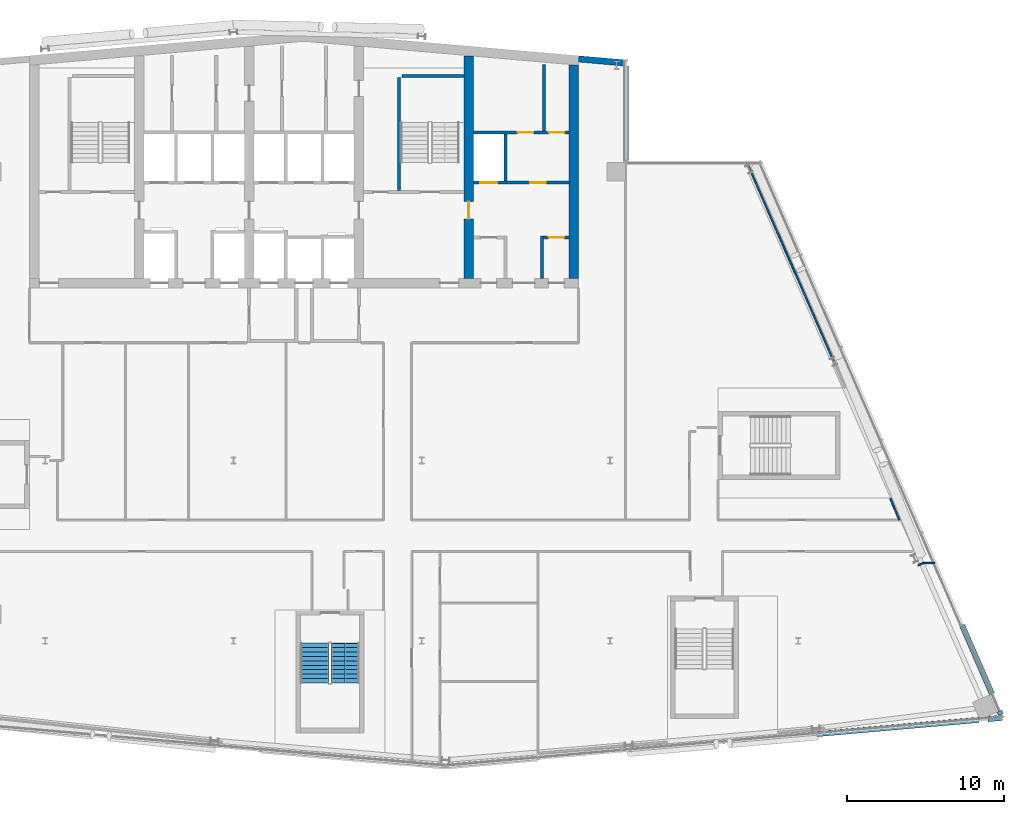
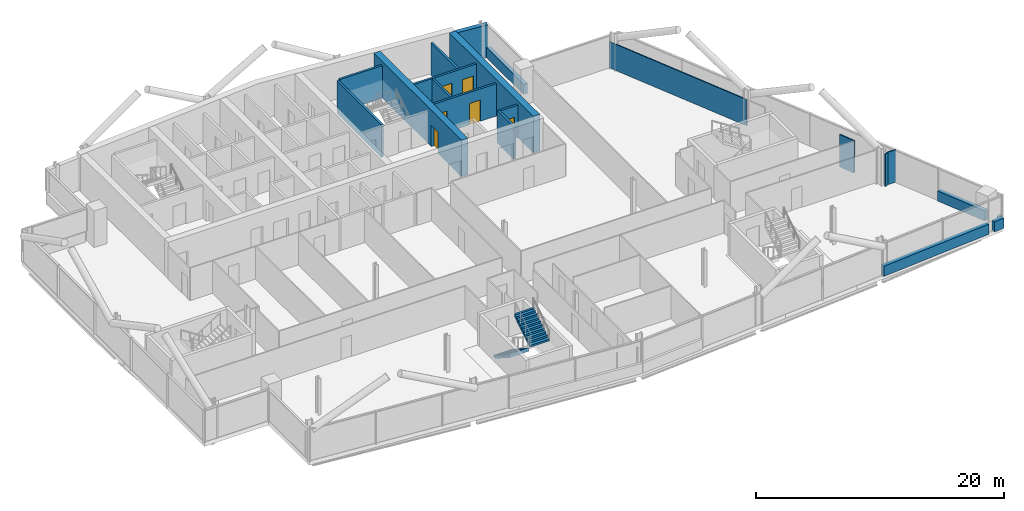
# One storey, part 19 of 26: 20 walls, 6 doors, 2 stair flights, 6 openings, 1 element without a shape of its own.
"""IFC4 building model written with IfcOpenShell, lengths in metres."""

from ifc_helpers import new_model, si_unit, direction, frame, frame_2d, origin, place, context, subcontext, project, spatial, polyline, rectangle, outline, extrude, material, layer, layer_set, type_object, element, fill, aggregate, save


model = new_model("IFC4")

# Units and contexts
model_context = context("Model", 3, precision=1e-05, world=origin(), true_north=direction((0.0, 1.0)))
body_context = subcontext(model_context, "Body", "Model", "MODEL_VIEW")
ifc_project = project(units=[si_unit("LENGTHUNIT", "METRE"), si_unit("AREAUNIT", "SQUARE_METRE"), si_unit("VOLUMEUNIT", "CUBIC_METRE"), si_unit("PLANEANGLEUNIT", "RADIAN"), si_unit("MASSUNIT", "GRAM", prefix="KILO")], contexts=[model_context])

# Site, building, storey
site_placement = place(None, origin())
site = spatial("IfcSite", under=ifc_project, at=site_placement, CompositionType="ELEMENT")
building_placement = place(site_placement, origin())
building = spatial("IfcBuilding", under=site, at=building_placement, Name="Wharfspan Tower", CompositionType="ELEMENT")
storey_placement = place(building_placement, frame((0.0, 0.0, 217.899902)))
storey = spatial("IfcBuildingStorey", under=building, at=storey_placement, Name="L54", CompositionType="ELEMENT", Elevation=217.899902)

# Wall
ifc_material_1 = material(Name="Gypsum board on steel studs", Category="steel")
ifc_layer_1 = layer(ifc_material_1, 0.100098)
ifc_layer_set_1 = layer_set([ifc_layer_1], Name="Gypsum board on steel studs")
wall_type_1 = type_object("IfcWallType", Name="Compartment wall 100 EI 60", PredefinedType="PARTITIONING", material=ifc_layer_set_1)
wall_1_placement = place(storey_placement, frame((78.439941, 19.199951, 0.0), z_axis=(0.0, 0.0, 1.0), x_axis=(-0.382605, 0.923907, 0.0)))
element("IfcWall", 1, at=wall_1_placement, inside=storey, type_object=wall_type_1, Name="Partition L54.w049", PredefinedType="PARTITIONING", context=body_context, shape_type="SweptSolid", body=[
    extrude(rectangle(XDim=1.493896, YDim=0.100098, at=frame_2d((0.74707, 0.0))), origin(), (0.0, 0.0, 1.0), 3.200195),
])

# Wall, opening, door
ifc_material_2 = material(Name="Calcium silicate masonry", Category="masonry")
ifc_layer_2 = layer(ifc_material_2, 0.199951)
ifc_layer_set_2 = layer_set([ifc_layer_2], Name="Calcium silicate masonry")
wall_type_2 = type_object("IfcWallType", Name="Core room wall 200", PredefinedType="PARTITIONING", material=ifc_layer_set_2)
wall_2_placement = place(storey_placement, frame((55.766602, 37.199951, 0.0), z_axis=(0.0, 0.0, 1.0), x_axis=(1.0, 0.0, 0.0)))
wall_2 = element("IfcWall", 2, at=wall_2_placement, inside=storey, type_object=wall_type_2, Name="sw:L54:FR6.3", PredefinedType="PARTITIONING", context=body_context, shape_type="SweptSolid", body=[
    extrude(rectangle(XDim=1.633301, YDim=0.199951, at=frame_2d((0.81665, 0.0))), origin(), (0.0, 0.0, 1.0), 3.200195),
])
opening_1_placement = place(wall_2_placement, frame((0.31665, 0.0, 0.0)))
opening_1 = element("IfcOpeningElement", 3, at=opening_1_placement, cuts=wall_2, Name="Opening CD54.6H3", PredefinedType="OPENING", context=body_context, shape_type="SweptSolid", body=[
    extrude(rectangle(XDim=1.0, YDim=2.100098, at=frame_2d((0.5, 1.050049))), frame((0.0, 0.109863, 0.0), z_axis=(0.0, -1.0, 0.0), x_axis=(1.0, 0.0, 0.0)), (0.0, 0.0, 1.0), 0.219971),
])
ifc_material_3 = material(Name="Steel door leaf", Category="steel")
door_type_1 = type_object("IfcDoorType", Name="Core room door 1000x2100", OperationType="SINGLE_SWING_LEFT", PredefinedType="DOOR", material=ifc_material_3)
door_1_placement = place(opening_1_placement, origin())
door_1 = element("IfcDoor", 4, at=door_1_placement, inside=storey, type_object=door_type_1, Name="d:L54:6:fh6.3", OperationType="SINGLE_SWING_RIGHT", OverallHeight=2.100098, OverallWidth=1.0, PredefinedType="DOOR", context=body_context, shape_type="SweptSolid", body=[
    extrude(rectangle(XDim=1.0, YDim=2.100098, at=frame_2d((0.5, 1.050049))), frame((0.0, 0.024902, 0.0), z_axis=(0.0, -1.0, 0.0), x_axis=(1.0, 0.0, 0.0)), (0.0, 0.0, 1.0), 0.050049),
])
fill(opening_1, door_1)

# Wall
wall_3_placement = place(storey_placement, frame((55.800049, 44.0, 0.0), z_axis=(0.0, 0.0, 1.0), x_axis=(0.0, 1.0, 0.0)))
element("IfcWall", 5, at=wall_3_placement, inside=storey, type_object=wall_type_2, Name="sw:L54:RP6.1", PredefinedType="PARTITIONING", context=body_context, shape_type="SweptSolid", body=[
    extrude(rectangle(XDim=4.217529, YDim=0.199951, at=frame_2d((2.108887, 0.0))), origin(), (0.0, 0.0, 1.0), 3.200195),
])

# Wall, opening, door
ifc_material_4 = material(Name="Concrete C50/60", Category="concrete")
ifc_layer_3 = layer(ifc_material_4, 0.600098)
ifc_layer_set_3 = layer_set([ifc_layer_3], Name="Concrete C50/60")
wall_type_3 = type_object("IfcWallType", Name="Core wall 600 C50/60", PredefinedType="SHEAR", material=ifc_layer_set_3)
wall_4_placement = place(storey_placement, frame((51.0, 34.600098, 0.0), z_axis=(0.0, 0.0, 1.0), x_axis=(0.0, 1.0, 0.0)))
wall_4 = element("IfcWall", 6, at=wall_4_placement, inside=storey, type_object=wall_type_3, Name="Core cross wall X6 L54", PredefinedType="SHEAR", context=body_context, shape_type="SweptSolid", body=[
    extrude(rectangle(XDim=14.171143, YDim=0.600098, at=frame_2d((7.085449, 0.0))), origin(), (0.0, 0.0, 1.0), 3.600098),
])
opening_2_placement = place(wall_4_placement, frame((3.800049, 0.0, 0.0)))
opening_2 = element("IfcOpeningElement", 7, at=opening_2_placement, cuts=wall_4, Name="Opening CC54.6", PredefinedType="OPENING", context=body_context, shape_type="SweptSolid", body=[
    extrude(rectangle(XDim=1.100098, YDim=2.100098, at=frame_2d((0.550049, 1.050049))), frame((0.0, 0.310059, 0.0), z_axis=(0.0, -1.0, 0.0), x_axis=(1.0, 0.0, 0.0)), (0.0, 0.0, 1.0), 0.620117),
])
door_type_2 = type_object("IfcDoorType", Name="Core corridor door 1100x2100", OperationType="SINGLE_SWING_LEFT", PredefinedType="DOOR", material=ifc_material_3)
door_2_placement = place(opening_2_placement, origin())
door_2 = element("IfcDoor", 8, at=door_2_placement, inside=storey, type_object=door_type_2, Name="xd:L54:6", OperationType="SINGLE_SWING_RIGHT", OverallHeight=2.100098, OverallWidth=1.100098, PredefinedType="DOOR", context=body_context, shape_type="SweptSolid", body=[
    extrude(rectangle(XDim=1.100098, YDim=2.100098, at=frame_2d((0.550049, 1.050049))), frame((0.0, 0.024902, 0.0), z_axis=(0.0, -1.0, 0.0), x_axis=(1.0, 0.0, 0.0)), (0.0, 0.0, 1.0), 0.050049),
])
fill(opening_2, door_2)

# Wall
wall_5_placement = place(storey_placement, frame((57.699951, 34.600098, 0.0), z_axis=(0.0, 0.0, 1.0), x_axis=(0.0, 1.0, 0.0)))
element("IfcWall", 9, at=wall_5_placement, inside=storey, type_object=wall_type_3, Name="Core cross wall EW1 L54", PredefinedType="SHEAR", context=body_context, shape_type="SweptSolid", body=[
    extrude(rectangle(XDim=13.584961, YDim=0.600098, at=frame_2d((6.79248, 0.0))), origin(), (0.0, 0.0, 1.0), 3.600098),
])

# Wall, openings, doors
ifc_material_5 = material(Name="Concrete C30/37", Category="concrete")
ifc_layer_4 = layer(ifc_material_5, 0.199951)
ifc_layer_set_4 = layer_set([ifc_layer_4], Name="Concrete C30/37")
wall_type_4 = type_object("IfcWallType", Name="Lift shaft wall 200", PredefinedType="PARTITIONING", material=ifc_layer_set_4)
wall_6_placement = place(storey_placement, frame((51.300049, 40.699951, 0.0), z_axis=(0.0, 0.0, 1.0), x_axis=(1.0, 0.0, 0.0)))
wall_6 = element("IfcWall", 10, at=wall_6_placement, inside=storey, type_object=wall_type_4, Name="sw:L54:RF6", PredefinedType="PARTITIONING", context=body_context, shape_type="SweptSolid", body=[
    extrude(rectangle(XDim=6.099854, YDim=0.199951, at=frame_2d((3.049805, 0.0))), origin(), (0.0, 0.0, 1.0), 3.200195),
])
opening_3_placement = place(wall_6_placement, frame((0.416748, 0.0, 0.0)))
opening_3 = element("IfcOpeningElement", 11, at=opening_3_placement, cuts=wall_6, Name="Opening LD.LB8.L54", PredefinedType="OPENING", context=body_context, shape_type="SweptSolid", body=[
    extrude(rectangle(XDim=1.100098, YDim=2.100098, at=frame_2d((0.550049, 1.050049))), frame((0.0, 0.109863, 0.0), z_axis=(0.0, -1.0, 0.0), x_axis=(1.0, 0.0, 0.0)), (0.0, 0.0, 1.0), 0.219971),
])
opening_4_placement = place(wall_6_placement, frame((3.616699, 0.0, 0.0)))
opening_4 = element("IfcOpeningElement", 12, at=opening_4_placement, cuts=wall_6, Name="Opening CD54.6R2", PredefinedType="OPENING", context=body_context, shape_type="SweptSolid", body=[
    extrude(rectangle(XDim=1.0, YDim=2.100098, at=frame_2d((0.5, 1.050049))), frame((0.0, 0.109863, 0.0), z_axis=(0.0, -1.0, 0.0), x_axis=(1.0, 0.0, 0.0)), (0.0, 0.0, 1.0), 0.219971),
])
door_3_placement = place(opening_4_placement, origin())
door_3 = element("IfcDoor", 13, at=door_3_placement, inside=storey, type_object=door_type_1, Name="d:L54:6:rd6.2", OperationType="SINGLE_SWING_RIGHT", OverallHeight=2.100098, OverallWidth=1.0, PredefinedType="DOOR", context=body_context, shape_type="SweptSolid", body=[
    extrude(rectangle(XDim=1.0, YDim=2.100098, at=frame_2d((0.5, 1.050049))), frame((0.0, 0.024902, 0.0), z_axis=(0.0, -1.0, 0.0), x_axis=(1.0, 0.0, 0.0)), (0.0, 0.0, 1.0), 0.050049),
])
fill(opening_4, door_3)
ifc_material_6 = material(Name="Stainless steel", Category="steel")
door_type_3 = type_object("IfcDoorType", Name="Lift landing door 1100x2100", OperationType="DOUBLE_DOOR_SLIDING", PredefinedType="DOOR", material=ifc_material_6)
door_4_placement = place(opening_3_placement, origin())
door_4 = element("IfcDoor", 14, at=door_4_placement, inside=storey, type_object=door_type_3, Name="Landing door LB8 L54", OperationType="DOUBLE_DOOR_SLIDING", OverallHeight=2.100098, OverallWidth=1.100098, PredefinedType="DOOR", context=body_context, shape_type="SweptSolid", body=[
    extrude(rectangle(XDim=1.100098, YDim=2.100098, at=frame_2d((0.550049, 1.050049))), frame((0.0, 0.024902, 0.0), z_axis=(0.0, -1.0, 0.0), x_axis=(1.0, 0.0, 0.0)), (0.0, 0.0, 1.0), 0.050049),
])
fill(opening_3, door_4)

wall_7_placement = place(storey_placement, frame((51.300049, 43.899902, 0.0), z_axis=(0.0, 0.0, 1.0), x_axis=(1.0, 0.0, 0.0)))
wall_7 = element("IfcWall", 15, at=wall_7_placement, inside=storey, type_object=wall_type_4, Name="sw:L54:RR6", PredefinedType="PARTITIONING", context=body_context, shape_type="SweptSolid", body=[
    extrude(rectangle(XDim=6.099854, YDim=0.199951, at=frame_2d((3.049805, 0.0))), origin(), (0.0, 0.0, 1.0), 3.200195),
])
opening_5_placement = place(wall_7_placement, frame((2.81665, 0.0, 0.0)))
opening_5 = element("IfcOpeningElement", 16, at=opening_5_placement, cuts=wall_7, Name="Opening CD54.6S2", PredefinedType="OPENING", context=body_context, shape_type="SweptSolid", body=[
    extrude(rectangle(XDim=1.0, YDim=2.100098, at=frame_2d((0.5, 1.050049))), frame((0.0, 0.109863, 0.0), z_axis=(0.0, -1.0, 0.0), x_axis=(1.0, 0.0, 0.0)), (0.0, 0.0, 1.0), 0.219971),
])
opening_6_placement = place(wall_7_placement, frame((4.800049, 0.0, 0.0)))
opening_6 = element("IfcOpeningElement", 17, at=opening_6_placement, cuts=wall_7, Name="Opening CD54.6S2a", PredefinedType="OPENING", context=body_context, shape_type="SweptSolid", body=[
    extrude(rectangle(XDim=1.0, YDim=2.100098, at=frame_2d((0.5, 1.050049))), frame((0.0, 0.109863, 0.0), z_axis=(0.0, -1.0, 0.0), x_axis=(1.0, 0.0, 0.0)), (0.0, 0.0, 1.0), 0.219971),
])
door_5_placement = place(opening_5_placement, origin())
door_5 = element("IfcDoor", 18, at=door_5_placement, inside=storey, type_object=door_type_1, Name="d:L54:6:rs6.2", OperationType="SINGLE_SWING_LEFT", OverallHeight=2.100098, OverallWidth=1.0, PredefinedType="DOOR", context=body_context, shape_type="SweptSolid", body=[
    extrude(rectangle(XDim=1.0, YDim=2.100098, at=frame_2d((0.5, 1.050049))), frame((0.0, 0.024902, 0.0), z_axis=(0.0, -1.0, 0.0), x_axis=(1.0, 0.0, 0.0)), (0.0, 0.0, 1.0), 0.050049),
])
fill(opening_5, door_5)
door_6_placement = place(opening_6_placement, origin())
door_6 = element("IfcDoor", 19, at=door_6_placement, inside=storey, type_object=door_type_1, Name="d:L54:6:rs6.2a", OperationType="SINGLE_SWING_LEFT", OverallHeight=2.100098, OverallWidth=1.0, PredefinedType="DOOR", context=body_context, shape_type="SweptSolid", body=[
    extrude(rectangle(XDim=1.0, YDim=2.100098, at=frame_2d((0.5, 1.050049))), frame((0.0, 0.024902, 0.0), z_axis=(0.0, -1.0, 0.0), x_axis=(1.0, 0.0, 0.0)), (0.0, 0.0, 1.0), 0.050049),
])
fill(opening_6, door_6)

# Walls
wall_8_placement = place(storey_placement, origin())
element("IfcWall", 20, at=wall_8_placement, inside=storey, type_object=wall_type_4, Name="sw:L54:FM6.1", PredefinedType="PARTITIONING", context=body_context, shape_type="SweptSolid", body=[
    extrude(outline(polyline([(55.56665, 34.600098), (55.56665, 37.300049), (55.766602, 37.300049), (55.766602, 34.600098), (55.56665, 34.600098)])), origin(), (0.0, 0.0, 1.0), 3.200195),
])
wall_9_placement = place(storey_placement, origin())
element("IfcWall", 21, at=wall_9_placement, inside=storey, type_object=wall_type_4, Name="sw:L54:RM6.0", PredefinedType="PARTITIONING", context=body_context, shape_type="SweptSolid", body=[
    extrude(outline(polyline([(53.43335, 40.800049), (53.43335, 43.800049), (53.233398, 43.800049), (53.233398, 40.800049), (53.43335, 40.800049)])), origin(), (0.0, 0.0, 1.0), 3.200195),
])
ifc_layer_5 = layer(ifc_material_1, 0.100098)
ifc_layer_set_5 = layer_set([ifc_layer_5], Name="Gypsum board on steel studs")
wall_type_5 = type_object("IfcWallType", Name="Partition 100", PredefinedType="PARTITIONING", material=ifc_layer_set_5)
wall_10_placement = place(storey_placement, frame((74.264893, 29.310059, 0.0), z_axis=(0.0, 0.0, 1.0), x_axis=(-0.400401, 0.916335, 0.0)))
element("IfcWall", 22, at=wall_10_placement, inside=storey, type_object=wall_type_5, Name="Partition L54.w047", PredefinedType="PARTITIONING", context=body_context, shape_type="SweptSolid", body=[
    extrude(rectangle(XDim=13.794678, YDim=0.100098, at=frame_2d((6.897461, 0.0))), origin(), (0.0, 0.0, 1.0), 2.580078),
])
wall_11_placement = place(storey_placement, frame((79.629883, 16.314941, 0.0), z_axis=(0.0, 0.0, 1.0), x_axis=(0.92262, 0.385713, 0.0)))
element("IfcWall", 23, at=wall_11_placement, inside=storey, type_object=wall_type_5, Name="Partition L54.w050", PredefinedType="PARTITIONING", context=body_context, shape_type="SweptSolid", body=[
    extrude(rectangle(XDim=0.363281, YDim=0.100098, at=frame_2d((0.181641, 0.0))), origin(), (0.0, 0.0, 1.0), 3.200195),
])
wall_12_placement = place(storey_placement, frame((79.975098, 16.455078, 0.0), z_axis=(0.0, 0.0, 1.0), x_axis=(1.0, 0.0, 0.0)))
element("IfcWall", 24, at=wall_12_placement, inside=storey, type_object=wall_type_5, Name="Partition L54.w051", PredefinedType="PARTITIONING", context=body_context, shape_type="SweptSolid", body=[
    extrude(rectangle(XDim=0.718262, YDim=0.100098, at=frame_2d((0.359131, 0.0))), origin(), (0.0, 0.0, 1.0), 3.200195),
])
ifc_material_7 = material(Name="Concrete C40/50", Category="concrete")
ifc_layer_6 = layer(ifc_material_7, 0.350098)
ifc_layer_set_6 = layer_set([ifc_layer_6], Name="Concrete C40/50")
wall_type_6 = type_object("IfcWallType", Name="SPANDREL EXPOSED CONCRETE 350", PredefinedType="SOLIDWALL", material=ifc_layer_set_6)
wall_13_placement = place(storey_placement, frame((73.197021, 5.562256, 0.0), z_axis=(0.0, 0.0, 1.0), x_axis=(0.996198, 0.087163, 0.0)))
element("IfcWall", 25, at=wall_13_placement, inside=storey, type_object=wall_type_6, Name="Spandrel upstand L54 S2 2", PredefinedType="SOLIDWALL", context=body_context, shape_type="SweptSolid", body=[
    extrude(rectangle(XDim=10.35791, YDim=0.350098, at=frame_2d((5.178955, 0.0))), origin(), (0.0, 0.0, 1.0), 1.0),
])
wall_14_placement = place(storey_placement, frame((84.077637, 6.514404, 0.0), z_axis=(0.0, 0.0, 1.0), x_axis=(0.996213, 0.086971, 0.0)))
element("IfcWall", 26, at=wall_14_placement, inside=storey, type_object=wall_type_6, Name="Spandrel upstand L54 S2 3", PredefinedType="SOLIDWALL", context=body_context, shape_type="SweptSolid", body=[
    extrude(rectangle(XDim=0.92627, YDim=0.350098, at=frame_2d((0.463135, 0.0))), origin(), (0.0, 0.0, 1.0), 1.0),
])
wall_15_placement = place(storey_placement, frame((84.9104, 6.818604, 0.0), z_axis=(0.0, 0.0, 1.0), x_axis=(-0.398359, 0.91723, 0.0)))
element("IfcWall", 27, at=wall_15_placement, inside=storey, type_object=wall_type_6, Name="Spandrel upstand L54 E", PredefinedType="SOLIDWALL", context=body_context, shape_type="SweptSolid", body=[
    extrude(rectangle(XDim=0.21875, YDim=0.350098, at=frame_2d((0.109375, 0.0))), origin(), (0.0, 0.0, 1.0), 1.0),
])
wall_16_placement = place(storey_placement, frame((84.344727, 8.119873, 0.0), z_axis=(0.0, 0.0, 1.0), x_axis=(-0.398736, 0.917067, 0.0)))
element("IfcWall", 28, at=wall_16_placement, inside=storey, type_object=wall_type_6, Name="Spandrel upstand L54 E 2", PredefinedType="SOLIDWALL", context=body_context, shape_type="SweptSolid", body=[
    extrude(rectangle(XDim=4.748291, YDim=0.350098, at=frame_2d((2.374023, 0.0))), origin(), (0.0, 0.0, 1.0), 1.0),
])
wall_17_placement = place(storey_placement, frame((61.004883, 42.120117, 0.0), z_axis=(0.0, 0.0, 1.0), x_axis=(0.0, 1.0, 0.0)))
element("IfcWall", 29, at=wall_17_placement, inside=storey, type_object=wall_type_6, Name="Spandrel upstand L54 NRE-V", PredefinedType="SOLIDWALL", context=body_context, shape_type="SweptSolid", body=[
    extrude(rectangle(XDim=6.006348, YDim=0.350098, at=frame_2d((3.003174, 0.0))), origin(), (0.0, 0.0, 1.0), 1.0),
])
ifc_layer_7 = layer(ifc_material_7, 0.199951)
ifc_layer_set_7 = layer_set([ifc_layer_7], Name="Concrete C40/50")
wall_type_7 = type_object("IfcWallType", Name="Stair shaft wall 200", PredefinedType="SHEAR", material=ifc_layer_set_7)
wall_18_placement = place(storey_placement, frame((46.550049, 40.199951, 0.0), z_axis=(0.0, 0.0, 1.0), x_axis=(0.0, 1.0, 0.0)))
element("IfcWall", 30, at=wall_18_placement, inside=storey, type_object=wall_type_7, Name="ST2 stair enclosure wall L54", PredefinedType="SHEAR", context=body_context, shape_type="SweptSolid", body=[
    extrude(rectangle(XDim=7.199951, YDim=0.199951, at=frame_2d((3.600098, 0.0))), origin(), (0.0, 0.0, 1.0), 3.200195),
])
wall_19_placement = place(storey_placement, frame((46.75, 47.5, 0.0), z_axis=(0.0, 0.0, 1.0), x_axis=(1.0, 0.0, 0.0)))
element("IfcWall", 31, at=wall_19_placement, inside=storey, type_object=wall_type_7, Name="ST2 stair enclosure wall L54", PredefinedType="SHEAR", context=body_context, shape_type="SweptSolid", body=[
    extrude(rectangle(XDim=3.949951, YDim=0.199951, at=frame_2d((1.975098, 0.0))), origin(), (0.0, 0.0, 1.0), 3.200195),
])
ifc_layer_8 = layer(ifc_material_7, 0.399902)
ifc_layer_set_8 = layer_set([ifc_layer_8], Name="Concrete C40/50")
wall_type_8 = type_object("IfcWallType", Name="WALL EXPOSED CONCRETE 400", PredefinedType="SOLIDWALL", material=ifc_layer_set_8)
wall_20_placement = place(storey_placement, frame((60.982666, 48.325684, 0.0), z_axis=(0.0, 0.0, 1.0), x_axis=(-0.996194, 0.087168, 0.0)))
element("IfcWall", 32, at=wall_20_placement, inside=storey, type_object=wall_type_8, Name="Rear wall N2", PredefinedType="SOLIDWALL", context=body_context, shape_type="SweptSolid", body=[
    extrude(rectangle(XDim=2.994141, YDim=0.399902, at=frame_2d((1.49707, 0.0))), origin(), (0.0, 0.0, 1.0), 3.200195),
])

# Stair, stair flights
stair_type = type_object("IfcStairType", Name="Half-turn stair 20 risers 180 mm", PredefinedType="HALF_TURN_STAIR", material=ifc_material_7)
stair_placement = place(storey_placement, origin())
stair = element("IfcStair", 33, at=stair_placement, inside=storey, type_object=stair_type, Name="L54 stair ST4", PredefinedType="HALF_TURN_STAIR")
stair_flight_type = type_object("IfcStairFlightType", Name="Stair flight 20 risers 180 mm", PredefinedType="STRAIGHT", material=ifc_material_7)
stair_flight_1_placement = place(storey_placement, frame((41.177002, 11.343262, 0.0), z_axis=(0.0, 0.0, 1.0), x_axis=(0.0, -1.0, 0.0)))
stair_flight_1 = element("IfcStairFlight", 34, at=stair_flight_1_placement, type_object=stair_flight_type, Name="ST4 flight 1", NumberOfRisers=10, NumberOfTreads=9, PredefinedType="STRAIGHT", RiserHeight=0.18, TreadLength=0.28, context=body_context, shape_type="SweptSolid", body=[
    extrude(outline(polyline([(-0.011963, 0.0), (-0.011963, 0.179932), (0.0, 0.179932), (0.280029, 0.179932), (0.280029, 0.360107), (0.560059, 0.360107), (0.560059, 0.540039), (0.840088, 0.540039), (0.840088, 0.719971), (1.120117, 0.719971), (1.120117, 0.899902), (1.399902, 0.899902), (1.399902, 1.080078), (1.679932, 1.080078), (1.679932, 1.26001), (1.959961, 1.26001), (1.959961, 1.439941), (2.23999, 1.439941), (2.23999, 1.620117), (2.52002, 1.620117), (2.531982, 1.800049), (2.531982, 1.441895), (0.2771, 0.0), (-0.011963, 0.0)])), frame((0.0, 0.899902, 0.0), z_axis=(0.0, -1.0, 0.0), x_axis=(1.0, 0.0, 0.0)), (0.0, 0.0, 1.0), 0.899414),
    extrude(outline(polyline([(-0.011963, 0.0), (-0.011963, 0.179932), (0.0, 0.179932), (0.280029, 0.179932), (0.280029, 0.360107), (0.560059, 0.360107), (0.560059, 0.540039), (0.840088, 0.540039), (0.840088, 0.719971), (1.120117, 0.719971), (1.120117, 0.899902), (1.399902, 0.899902), (1.399902, 1.080078), (1.679932, 1.080078), (1.679932, 1.26001), (1.959961, 1.26001), (1.959961, 1.439941), (2.23999, 1.439941), (2.23999, 1.620117), (2.52002, 1.620117), (2.531982, 1.800049), (2.531982, 1.441895), (0.2771, 0.0), (-0.011963, 0.0)])), frame((0.0, -0.000488, 0.0), z_axis=(0.0, -1.0, 0.0), x_axis=(1.0, 0.0, 0.0)), (0.0, 0.0, 1.0), 0.899414),
])
stair_flight_2_placement = place(storey_placement, frame((43.127197, 8.823242, 1.800049), z_axis=(0.0, 0.0, 1.0), x_axis=(0.0, 1.0, 0.0)))
stair_flight_2 = element("IfcStairFlight", 35, at=stair_flight_2_placement, type_object=stair_flight_type, Name="ST4 flight 2", NumberOfRisers=10, NumberOfTreads=9, PredefinedType="STRAIGHT", RiserHeight=0.18, TreadLength=0.28, context=body_context, shape_type="SweptSolid", body=[
    extrude(outline(polyline([(-0.011963, 0.0), (-0.011963, 0.179932), (0.0, 0.179932), (0.280029, 0.179932), (0.280029, 0.360107), (0.560059, 0.360107), (0.560059, 0.540039), (0.840088, 0.540039), (0.840088, 0.719971), (1.120117, 0.719971), (1.120117, 0.899902), (1.399902, 0.899902), (1.399902, 1.080078), (1.679932, 1.080078), (1.679932, 1.26001), (1.959961, 1.26001), (1.959961, 1.439941), (2.23999, 1.439941), (2.23999, 1.620117), (2.52002, 1.620117), (2.531982, 1.800049), (2.531982, 1.441895), (0.2771, 0.0), (-0.011963, 0.0)])), frame((0.0, 0.899902, 0.0), z_axis=(0.0, -1.0, 0.0), x_axis=(1.0, 0.0, 0.0)), (0.0, 0.0, 1.0), 0.899414),
    extrude(outline(polyline([(-0.011963, 0.0), (-0.011963, 0.179932), (0.0, 0.179932), (0.280029, 0.179932), (0.280029, 0.360107), (0.560059, 0.360107), (0.560059, 0.540039), (0.840088, 0.540039), (0.840088, 0.719971), (1.120117, 0.719971), (1.120117, 0.899902), (1.399902, 0.899902), (1.399902, 1.080078), (1.679932, 1.080078), (1.679932, 1.26001), (1.959961, 1.26001), (1.959961, 1.439941), (2.23999, 1.439941), (2.23999, 1.620117), (2.52002, 1.620117), (2.531982, 1.800049), (2.531982, 1.441895), (0.2771, 0.0), (-0.011963, 0.0)])), frame((0.0, -0.000488, 0.0), z_axis=(0.0, -1.0, 0.0), x_axis=(1.0, 0.0, 0.0)), (0.0, 0.0, 1.0), 0.899414),
])
aggregate(stair, [stair_flight_1, stair_flight_2])

save(model, "model.ifc")
